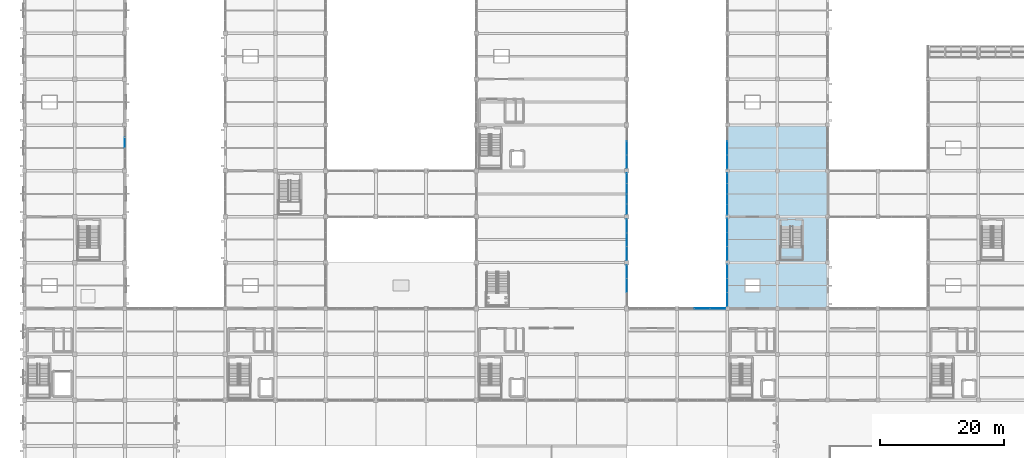
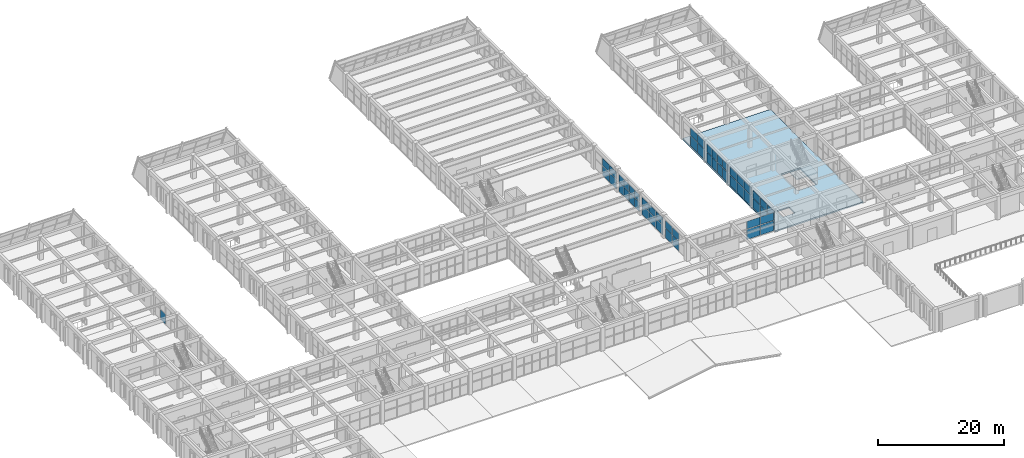
# One storey, part 135 of 161: 51 plates, 2 slabs, 11 elements without a shape of their own.
"""IFC4 building model written with IfcOpenShell, lengths in metres."""

import ifcopenshell
import ifcopenshell.guid

model = None  # the IFC model being written
_history = None  # IfcOwnerHistory: only IFC2X3 demands one
_inside = {}  # id of a spatial element -> (the spatial element, [elements in it])
_under = {}  # id of a project, library or spatial element -> (it, [spatial elements below it])
_declared = {}  # id of a project -> (the project, [libraries it declares])
_typed = {}  # id of a type object -> (the type object, [elements of that type])
_made_of = {}  # id of a material, layer set ... -> (it, [elements and type objects made of it])


def new_model(schema):
    """Start an empty IFC model of exactly this schema.

    Asked for "IFC4X3", IfcOpenShell would pick the latest addendum, in which some entities
    have other attributes; the version numbers below select the first issue.
    IFC2X3 requires an IfcOwnerHistory on every rooted entity: one is made here for all.
    """
    global model, _history
    if schema == "IFC4X3":
        model = ifcopenshell.file(schema_version=(4, 3, 0, 0))
    else:
        model = ifcopenshell.file(schema=schema)
    _inside.clear()
    _under.clear()
    _declared.clear()
    _typed.clear()
    _made_of.clear()
    _history = None
    if model.schema == "IFC2X3":
        org = make("IfcOrganization", Name="unknown")
        user = make(
            "IfcPersonAndOrganization",
            ThePerson=make("IfcPerson", FamilyName="unknown"),
            TheOrganization=org,
        )
        app = make(
            "IfcApplication",
            ApplicationDeveloper=org,
            Version="unknown",
            ApplicationFullName="unknown",
            ApplicationIdentifier="unknown",
        )
        _history = make(
            "IfcOwnerHistory",
            OwningUser=user,
            OwningApplication=app,
            ChangeAction="ADDED",
            CreationDate=0,
        )
    return model


def make(cls, **values):
    """One entity of the class cls with the attributes given. An attribute that is None is left unset."""
    return model.create_entity(
        cls, **{name: value for name, value in values.items() if value is not None}
    )


def rooted(cls, **values):
    """An entity with a GlobalId (a new one), such as an element, a storey or a relation."""
    return make(cls, GlobalId=ifcopenshell.guid.new(), OwnerHistory=_history, **values)


def si_unit(unit_type, name, prefix=None):
    """IfcSIUnit, for example si_unit("LENGTHUNIT", "METRE", prefix="MILLI")."""
    return make("IfcSIUnit", UnitType=unit_type, Prefix=prefix, Name=name)


def assignment(units):
    """IfcUnitAssignment: the units of a project."""
    return None if units is None else make("IfcUnitAssignment", Units=units)


def point(xyz):
    """IfcCartesianPoint."""
    return None if xyz is None else make("IfcCartesianPoint", Coordinates=xyz)


def direction(xyz):
    """IfcDirection."""
    return None if xyz is None else make("IfcDirection", DirectionRatios=xyz)


def frame(location, z_axis=None, x_axis=None):
    """IfcAxis2Placement3D, a coordinate frame: its origin and axes. An axis left out is left unset."""
    return make(
        "IfcAxis2Placement3D",
        Location=point(location),
        Axis=direction(z_axis),
        RefDirection=direction(x_axis),
    )


def frame_2d(location, x_axis=None):
    """IfcAxis2Placement2D, a coordinate frame in the plane: its origin and x axis."""
    return make(
        "IfcAxis2Placement2D", Location=point(location), RefDirection=direction(x_axis)
    )


def origin():
    """The frame at (0, 0, 0) with its axes left unset."""
    return frame((0.0, 0.0, 0.0))


def origin_2d():
    """The frame at (0, 0) in the plane with its x axis left unset."""
    return frame_2d((0.0, 0.0))


def place(relative_to, where):
    """IfcLocalPlacement: puts the frame where relative to a parent placement (None: the world)."""
    return make(
        "IfcLocalPlacement", PlacementRelTo=relative_to, RelativePlacement=where
    )


def context(
    kind, dimensions, precision=None, world=None, true_north=None, identifier=None
):
    """IfcGeometricRepresentationContext, for example the 3D "Model" context."""
    return make(
        "IfcGeometricRepresentationContext",
        ContextIdentifier=identifier,
        ContextType=kind,
        CoordinateSpaceDimension=dimensions,
        Precision=precision,
        WorldCoordinateSystem=world,
        TrueNorth=true_north,
    )


def subcontext(parent, identifier, kind, view, scale=None):
    """IfcGeometricRepresentationSubContext, for example "Body" below "Model"."""
    return make(
        "IfcGeometricRepresentationSubContext",
        ContextIdentifier=identifier,
        ContextType=kind,
        ParentContext=parent,
        TargetScale=scale,
        TargetView=view,
    )


def project(units=None, contexts=None):
    """IfcProject with its units and contexts."""
    return rooted(
        "IfcProject",
        Name="project",
        RepresentationContexts=contexts,
        UnitsInContext=assignment(units),
    )


def spatial(cls, under=None, at=None, **own):
    """A site, building, storey or space (cls), placed at a placement, below another one or the project."""
    s = rooted(cls, ObjectPlacement=at, **own)
    if under is not None:
        _under.setdefault(under.id(), (under, []))[1].append(s)
    return s


def polyline(points):
    """IfcPolyline through the points."""
    return make("IfcPolyline", Points=[point(p) for p in points])


def profile(cls, at=None, kind="AREA", **sizes):
    """A parametric profile (cls). Its sizes go by their IFC names, for example OverallWidth=200.0."""
    return make(cls, ProfileType=kind, Position=at, **sizes)


def rectangle(**sizes):
    """IfcRectangleProfileDef."""
    return profile("IfcRectangleProfileDef", **sizes)


def outline(outer, holes=None, kind="AREA"):
    """IfcArbitraryClosedProfileDef: a profile drawn as a closed curve; with holes, ...WithVoids."""
    if holes is None:
        return make("IfcArbitraryClosedProfileDef", ProfileType=kind, OuterCurve=outer)
    return make(
        "IfcArbitraryProfileDefWithVoids",
        ProfileType=kind,
        OuterCurve=outer,
        InnerCurves=holes,
    )


def extrude(swept, where, along, depth):
    """IfcExtrudedAreaSolid: the profile swept, set in the frame where, extruded along a direction by depth."""
    return make(
        "IfcExtrudedAreaSolid",
        SweptArea=swept,
        Position=where,
        ExtrudedDirection=direction(along),
        Depth=depth,
    )


def shape(context_of_items, identifier, shape_type, items):
    """IfcShapeRepresentation: the items that make up one representation, for example the "Body"."""
    return make(
        "IfcShapeRepresentation",
        ContextOfItems=context_of_items,
        RepresentationIdentifier=identifier,
        RepresentationType=shape_type,
        Items=items,
    )


def material(Name=None, Category=None):
    """IfcMaterial."""
    return make("IfcMaterial", Name=Name, Category=Category)


def layer(
    of_material, thickness, ventilated=None, Name=None, Category=None, Priority=None
):
    """IfcMaterialLayer: one layer of a wall or slab, of a material (None: an air gap)."""
    return make(
        "IfcMaterialLayer",
        Material=of_material,
        LayerThickness=thickness,
        IsVentilated=ventilated,
        Name=Name,
        Category=Category,
        Priority=Priority,
    )


def layer_set(layers, Name=None):
    """IfcMaterialLayerSet."""
    return make("IfcMaterialLayerSet", MaterialLayers=layers, LayerSetName=Name)


def made_of(thing, what):
    """Note that an element or type object is made of a material, layer set ...; save() writes the relation."""
    if what is not None:
        _made_of.setdefault(what.id(), (what, []))[1].append(thing)
    return thing


def type_object(cls, material=None, **own):
    """A type object (cls), such as IfcWallType, which elements share."""
    return made_of(rooted(cls, **own), material)


def element(
    cls,
    number,
    at=None,
    inside=None,
    cuts=None,
    type_object=None,
    material=None,
    context=None,
    identifier="Body",
    shape_type=None,
    held_by="IfcProductDefinitionShape",
    body=None,
    shapes=None,
    **own,
):
    """One element of the class cls, such as IfcWall. Its Tag is "e" and its number.

    at: its placement. inside: the storey or other place that contains it. cuts: it is an
    opening in that element (IfcRelVoidsElement). A single representation is given by context,
    identifier, shape_type and body (its items); several are given by shapes. held_by: the class
    of the entity that holds the representations. save() writes the other relations.
    """
    e = rooted(cls, Tag="e%d" % number, ObjectPlacement=at, **own)
    if body is not None:
        shapes = [shape(context, identifier, shape_type, body)]
    if shapes is not None:
        e.Representation = make(held_by, Representations=shapes)
    if inside is not None:
        _inside.setdefault(inside.id(), (inside, []))[1].append(e)
    if cuts is not None:
        rooted(
            "IfcRelVoidsElement", RelatingBuildingElement=cuts, RelatedOpeningElement=e
        )
    if type_object is not None:
        _typed.setdefault(type_object.id(), (type_object, []))[1].append(e)
    return made_of(e, material)


def aggregate(whole, parts):
    """IfcRelAggregates: a whole, such as a stair, and the parts it consists of."""
    return rooted("IfcRelAggregates", RelatingObject=whole, RelatedObjects=parts)


def save(model, path):
    """Write the relations noted so far, then the file.

    IfcRelAggregates (storeys below a building ...), IfcRelContainedInSpatialStructure (elements
    in a storey), IfcRelDefinesByType, IfcRelAssociatesMaterial and IfcRelDeclares: one each for
    every whole, place, type object, material and project.
    """
    for whole, parts in _under.values():
        aggregate(whole, parts)
    for where, things in _inside.values():
        rooted(
            "IfcRelContainedInSpatialStructure",
            RelatedElements=things,
            RelatingStructure=where,
        )
    for kind, things in _typed.values():
        rooted("IfcRelDefinesByType", RelatedObjects=things, RelatingType=kind)
    for what, things in _made_of.values():
        rooted("IfcRelAssociatesMaterial", RelatedObjects=things, RelatingMaterial=what)
    for by, libraries in _declared.values():
        rooted("IfcRelDeclares", RelatingContext=by, RelatedDefinitions=libraries)
    model.write(path)


model = new_model("IFC4")

# Units and contexts
model_context = context("Model", 3, precision=1e-05, world=origin(), true_north=direction((0.0, 1.0)))
body_context = subcontext(model_context, "Body", "Model", "MODEL_VIEW")
ifc_project = project(units=[si_unit("LENGTHUNIT", "METRE"), si_unit("AREAUNIT", "SQUARE_METRE"), si_unit("VOLUMEUNIT", "CUBIC_METRE"), si_unit("PLANEANGLEUNIT", "RADIAN"), si_unit("MASSUNIT", "GRAM", prefix="KILO")], contexts=[model_context])

# Site, building, storey
site_placement = place(None, origin())
site = spatial("IfcSite", under=ifc_project, at=site_placement, CompositionType="ELEMENT")
building_placement = place(site_placement, origin())
building = spatial("IfcBuilding", under=site, at=building_placement, Name="Cimatlan Art Gallery", CompositionType="ELEMENT")
storey_placement = place(building_placement, frame((0.0, 0.0, 5.39990234375)))
storey = spatial("IfcBuildingStorey", under=building, at=storey_placement, Name="L01", CompositionType="ELEMENT", Elevation=5.39990234375)

# Curtain wall, plates
ifc_material_1 = material(Name="Anodised bronze unitised curtain wall")
curtain_wall_type_1 = type_object("IfcCurtainWallType", Name="CW-V-06642X03562-B4", PredefinedType="NOTDEFINED", material=ifc_material_1)
curtain_wall_1_placement = place(storey_placement, origin())
curtain_wall_1 = element("IfcCurtainWall", 1, at=curtain_wall_1_placement, inside=storey, type_object=curtain_wall_type_1, Name="CW-L01-11-07-E", PredefinedType="NOTDEFINED")
ifc_material_2 = material(Name="Low-E insulated double glazing", Category="glass")
ifc_layer_1 = layer(ifc_material_2, 0.028076171875)
ifc_layer_set_1 = layer_set([ifc_layer_1], Name="Low-E insulated double glazing")
plate_type_1 = type_object("IfcPlateType", Name="PNL-1603X1383", PredefinedType="CURTAIN_PANEL", material=ifc_layer_set_1)
plate_1_placement = place(storey_placement, frame((99.199951171875, 59.690673828125, 2.05712890625), z_axis=(0.0, 0.0, 1.0), x_axis=(0.0, -1.0, 0.0)))
plate_1 = element("IfcPlate", 2, at=plate_1_placement, type_object=plate_type_1, Name="CW-L01-11-07-E-P12", PredefinedType="CURTAIN_PANEL", context=body_context, shape_type="SweptSolid", body=[
    extrude(rectangle(XDim=1.60302734375, YDim=0.028076171875, at=origin_2d()), origin(), (0.0, 0.0, 1.0), 1.383056640625),
])
plate_2_placement = place(storey_placement, frame((99.199951171875, 58.0302734375, 2.05712890625), z_axis=(0.0, 0.0, 1.0), x_axis=(0.0, -1.0, 0.0)))
plate_2 = element("IfcPlate", 3, at=plate_2_placement, type_object=plate_type_1, Name="CW-L01-11-07-E-P22", PredefinedType="CURTAIN_PANEL", context=body_context, shape_type="SweptSolid", body=[
    extrude(rectangle(XDim=1.60302734375, YDim=0.028076171875, at=origin_2d()), origin(), (0.0, 0.0, 1.0), 1.383056640625),
])
plate_3_placement = place(storey_placement, frame((99.199951171875, 56.36962890625, 2.05712890625), z_axis=(0.0, 0.0, 1.0), x_axis=(0.0, -1.0, 0.0)))
plate_3 = element("IfcPlate", 4, at=plate_3_placement, type_object=plate_type_1, Name="CW-L01-11-07-E-P32", PredefinedType="CURTAIN_PANEL", context=body_context, shape_type="SweptSolid", body=[
    extrude(rectangle(XDim=1.60302734375, YDim=0.028076171875, at=origin_2d()), origin(), (0.0, 0.0, 1.0), 1.383056640625),
])
plate_4_placement = place(storey_placement, frame((99.199951171875, 54.709228515625, 2.05712890625), z_axis=(0.0, 0.0, 1.0), x_axis=(0.0, -1.0, 0.0)))
plate_4 = element("IfcPlate", 5, at=plate_4_placement, type_object=plate_type_1, Name="CW-L01-11-07-E-P42", PredefinedType="CURTAIN_PANEL", context=body_context, shape_type="SweptSolid", body=[
    extrude(rectangle(XDim=1.60302734375, YDim=0.028076171875, at=origin_2d()), origin(), (0.0, 0.0, 1.0), 1.383056640625),
])
ifc_layer_2 = layer(ifc_material_2, 0.028076171875)
ifc_layer_set_2 = layer_set([ifc_layer_2], Name="Low-E insulated double glazing")
plate_type_2 = type_object("IfcPlateType", Name="PNL-1603X1811", PredefinedType="CURTAIN_PANEL", material=ifc_layer_set_2)
plate_5_placement = place(storey_placement, frame((99.199951171875, 59.690673828125, 0.121826171875), z_axis=(0.0, 0.0, 1.0), x_axis=(0.0, -1.0, 0.0)))
plate_5 = element("IfcPlate", 6, at=plate_5_placement, type_object=plate_type_2, Name="CW-L01-11-07-E-P11", PredefinedType="CURTAIN_PANEL", context=body_context, shape_type="SweptSolid", body=[
    extrude(rectangle(XDim=1.60302734375, YDim=0.028076171875, at=origin_2d()), origin(), (0.0, 0.0, 1.0), 1.81103515625),
])
plate_6_placement = place(storey_placement, frame((99.199951171875, 58.0302734375, 0.121826171875), z_axis=(0.0, 0.0, 1.0), x_axis=(0.0, -1.0, 0.0)))
plate_6 = element("IfcPlate", 7, at=plate_6_placement, type_object=plate_type_2, Name="CW-L01-11-07-E-P21", PredefinedType="CURTAIN_PANEL", context=body_context, shape_type="SweptSolid", body=[
    extrude(rectangle(XDim=1.60302734375, YDim=0.028076171875, at=origin_2d()), origin(), (0.0, 0.0, 1.0), 1.81103515625),
])
plate_7_placement = place(storey_placement, frame((99.199951171875, 56.36962890625, 0.121826171875), z_axis=(0.0, 0.0, 1.0), x_axis=(0.0, -1.0, 0.0)))
plate_7 = element("IfcPlate", 8, at=plate_7_placement, type_object=plate_type_2, Name="CW-L01-11-07-E-P31", PredefinedType="CURTAIN_PANEL", context=body_context, shape_type="SweptSolid", body=[
    extrude(rectangle(XDim=1.60302734375, YDim=0.028076171875, at=origin_2d()), origin(), (0.0, 0.0, 1.0), 1.81103515625),
])
plate_8_placement = place(storey_placement, frame((99.199951171875, 54.709228515625, 0.121826171875), z_axis=(0.0, 0.0, 1.0), x_axis=(0.0, -1.0, 0.0)))
plate_8 = element("IfcPlate", 9, at=plate_8_placement, type_object=plate_type_2, Name="CW-L01-11-07-E-P41", PredefinedType="CURTAIN_PANEL", context=body_context, shape_type="SweptSolid", body=[
    extrude(rectangle(XDim=1.60302734375, YDim=0.028076171875, at=origin_2d()), origin(), (0.0, 0.0, 1.0), 1.81103515625),
])
aggregate(curtain_wall_1, [plate_5, plate_1, plate_6, plate_2, plate_7, plate_3, plate_8, plate_4])

# Curtain wall, plate
curtain_wall_type_2 = type_object("IfcCurtainWallType", Name="CW-V-06692X03720-B4", PredefinedType="NOTDEFINED", material=ifc_material_1)
curtain_wall_2_placement = place(storey_placement, origin())
curtain_wall_2 = element("IfcCurtainWall", 10, at=curtain_wall_2_placement, inside=storey, type_object=curtain_wall_type_2, Name="CW-L01-01-08-E", PredefinedType="NOTDEFINED")
ifc_layer_3 = layer(ifc_material_2, 0.028076171875)
ifc_layer_set_3 = layer_set([ifc_layer_3], Name="Low-E insulated double glazing")
plate_type_3 = type_object("IfcPlateType", Name="PNL-1615X1899", PredefinedType="CURTAIN_PANEL", material=ifc_layer_set_3)
plate_9_placement = place(storey_placement, frame((18.199951171875, 65.4365234375, 0.122314453125), z_axis=(0.0, 0.0, 1.0), x_axis=(0.0, -1.0, 0.0)))
plate_9 = element("IfcPlate", 11, at=plate_9_placement, type_object=plate_type_3, Name="CW-L01-01-08-E-P21", PredefinedType="CURTAIN_PANEL", context=body_context, shape_type="SweptSolid", body=[
    extrude(rectangle(XDim=1.614990234375, YDim=0.028076171875, at=origin_2d()), origin(), (0.0, 0.0, 1.0), 1.89892578125),
])
aggregate(curtain_wall_2, [plate_9])

# Curtain wall, plates
curtain_wall_type_3 = type_object("IfcCurtainWallType", Name="CW-V-06742X03830-B4", PredefinedType="NOTDEFINED", material=ifc_material_1)
curtain_wall_3_placement = place(storey_placement, origin())
curtain_wall_3 = element("IfcCurtainWall", 12, at=curtain_wall_3_placement, inside=storey, type_object=curtain_wall_type_3, Name="CW-L01-14-07-W", PredefinedType="NOTDEFINED")
ifc_layer_4 = layer(ifc_material_2, 0.028076171875)
ifc_layer_set_4 = layer_set([ifc_layer_4], Name="Low-E insulated double glazing")
plate_type_4 = type_object("IfcPlateType", Name="PNL-1627X1501", PredefinedType="CURTAIN_PANEL", material=ifc_layer_set_4)
plate_10_placement = place(storey_placement, frame((115.39990234375, 54.671630859375, 2.20703125), z_axis=(0.0, 0.0, 1.0), x_axis=(0.0, 1.0, 0.0)))
plate_10 = element("IfcPlate", 13, at=plate_10_placement, type_object=plate_type_4, Name="CW-L01-14-07-W-P12", PredefinedType="CURTAIN_PANEL", context=body_context, shape_type="SweptSolid", body=[
    extrude(rectangle(XDim=1.626953125, YDim=0.028076171875, at=origin_2d()), origin(), (0.0, 0.0, 1.0), 1.5009765625),
])
plate_11_placement = place(storey_placement, frame((115.39990234375, 56.357177734375, 2.20703125), z_axis=(0.0, 0.0, 1.0), x_axis=(0.0, 1.0, 0.0)))
plate_11 = element("IfcPlate", 14, at=plate_11_placement, type_object=plate_type_4, Name="CW-L01-14-07-W-P22", PredefinedType="CURTAIN_PANEL", context=body_context, shape_type="SweptSolid", body=[
    extrude(rectangle(XDim=1.626953125, YDim=0.028076171875, at=origin_2d()), origin(), (0.0, 0.0, 1.0), 1.5009765625),
])
plate_12_placement = place(storey_placement, frame((115.39990234375, 58.042724609375, 2.20703125), z_axis=(0.0, 0.0, 1.0), x_axis=(0.0, 1.0, 0.0)))
plate_12 = element("IfcPlate", 15, at=plate_12_placement, type_object=plate_type_4, Name="CW-L01-14-07-W-P32", PredefinedType="CURTAIN_PANEL", context=body_context, shape_type="SweptSolid", body=[
    extrude(rectangle(XDim=1.626953125, YDim=0.028076171875, at=origin_2d()), origin(), (0.0, 0.0, 1.0), 1.5009765625),
])
plate_13_placement = place(storey_placement, frame((115.39990234375, 59.728271484375, 2.20703125), z_axis=(0.0, 0.0, 1.0), x_axis=(0.0, 1.0, 0.0)))
plate_13 = element("IfcPlate", 16, at=plate_13_placement, type_object=plate_type_4, Name="CW-L01-14-07-W-P42", PredefinedType="CURTAIN_PANEL", context=body_context, shape_type="SweptSolid", body=[
    extrude(rectangle(XDim=1.626953125, YDim=0.028076171875, at=origin_2d()), origin(), (0.0, 0.0, 1.0), 1.5009765625),
])
ifc_layer_5 = layer(ifc_material_2, 0.028076171875)
ifc_layer_set_5 = layer_set([ifc_layer_5], Name="Low-E insulated double glazing")
plate_type_5 = type_object("IfcPlateType", Name="PNL-1627X1961", PredefinedType="CURTAIN_PANEL", material=ifc_layer_set_5)
plate_14_placement = place(storey_placement, frame((115.39990234375, 54.671630859375, 0.1220703125), z_axis=(0.0, 0.0, 1.0), x_axis=(0.0, 1.0, 0.0)))
plate_14 = element("IfcPlate", 17, at=plate_14_placement, type_object=plate_type_5, Name="CW-L01-14-07-W-P11", PredefinedType="CURTAIN_PANEL", context=body_context, shape_type="SweptSolid", body=[
    extrude(rectangle(XDim=1.626953125, YDim=0.028076171875, at=origin_2d()), origin(), (0.0, 0.0, 1.0), 1.9609375),
])
plate_15_placement = place(storey_placement, frame((115.39990234375, 56.357177734375, 0.1220703125), z_axis=(0.0, 0.0, 1.0), x_axis=(0.0, 1.0, 0.0)))
plate_15 = element("IfcPlate", 18, at=plate_15_placement, type_object=plate_type_5, Name="CW-L01-14-07-W-P21", PredefinedType="CURTAIN_PANEL", context=body_context, shape_type="SweptSolid", body=[
    extrude(rectangle(XDim=1.626953125, YDim=0.028076171875, at=origin_2d()), origin(), (0.0, 0.0, 1.0), 1.9609375),
])
plate_16_placement = place(storey_placement, frame((115.39990234375, 58.042724609375, 0.1220703125), z_axis=(0.0, 0.0, 1.0), x_axis=(0.0, 1.0, 0.0)))
plate_16 = element("IfcPlate", 19, at=plate_16_placement, type_object=plate_type_5, Name="CW-L01-14-07-W-P31", PredefinedType="CURTAIN_PANEL", context=body_context, shape_type="SweptSolid", body=[
    extrude(rectangle(XDim=1.626953125, YDim=0.028076171875, at=origin_2d()), origin(), (0.0, 0.0, 1.0), 1.9609375),
])
plate_17_placement = place(storey_placement, frame((115.39990234375, 59.728271484375, 0.1220703125), z_axis=(0.0, 0.0, 1.0), x_axis=(0.0, 1.0, 0.0)))
plate_17 = element("IfcPlate", 20, at=plate_17_placement, type_object=plate_type_5, Name="CW-L01-14-07-W-P41", PredefinedType="CURTAIN_PANEL", context=body_context, shape_type="SweptSolid", body=[
    extrude(rectangle(XDim=1.626953125, YDim=0.028076171875, at=origin_2d()), origin(), (0.0, 0.0, 1.0), 1.9609375),
])
aggregate(curtain_wall_3, [plate_14, plate_10, plate_15, plate_11, plate_16, plate_12, plate_17, plate_13])

curtain_wall_type_4 = type_object("IfcCurtainWallType", Name="CW-V-06642X03547-B3", PredefinedType="NOTDEFINED", material=ifc_material_1)
curtain_wall_4_placement = place(storey_placement, origin())
curtain_wall_4 = element("IfcCurtainWall", 21, at=curtain_wall_4_placement, inside=storey, type_object=curtain_wall_type_4, Name="CW-L01-11-08-E", PredefinedType="NOTDEFINED")
ifc_layer_6 = layer(ifc_material_2, 0.028076171875)
ifc_layer_set_6 = layer_set([ifc_layer_6], Name="Low-E insulated double glazing")
plate_type_6 = type_object("IfcPlateType", Name="PNL-2156X1377", PredefinedType="CURTAIN_PANEL", material=ifc_layer_set_6)
plate_18_placement = place(storey_placement, frame((99.199951171875, 64.60009765625, 2.04833984375), z_axis=(0.0, 0.0, 1.0), x_axis=(0.0, -1.0, 0.0)))
plate_18 = element("IfcPlate", 22, at=plate_18_placement, type_object=plate_type_6, Name="CW-L01-11-08-E-P22", PredefinedType="CURTAIN_PANEL", context=body_context, shape_type="SweptSolid", body=[
    extrude(rectangle(XDim=2.156005859375, YDim=0.028076171875, at=origin_2d()), origin(), (0.0, 0.0, 1.0), 1.376953125),
])
plate_19_placement = place(storey_placement, frame((99.199951171875, 62.385986328125, 2.04833984375), z_axis=(0.0, 0.0, 1.0), x_axis=(0.0, -1.0, 0.0)))
plate_19 = element("IfcPlate", 23, at=plate_19_placement, type_object=plate_type_6, Name="CW-L01-11-08-E-P32", PredefinedType="CURTAIN_PANEL", context=body_context, shape_type="SweptSolid", body=[
    extrude(rectangle(XDim=2.156005859375, YDim=0.028076171875, at=origin_2d()), origin(), (0.0, 0.0, 1.0), 1.376953125),
])

curtain_wall_type_5 = type_object("IfcCurtainWallType", Name="CW-V-06642X03577-B3", PredefinedType="NOTDEFINED", material=ifc_material_1)
curtain_wall_5_placement = place(storey_placement, origin())
curtain_wall_5 = element("IfcCurtainWall", 24, at=curtain_wall_5_placement, inside=storey, type_object=curtain_wall_type_5, Name="CW-L01-11-06-E", PredefinedType="NOTDEFINED")
ifc_layer_7 = layer(ifc_material_2, 0.028076171875)
ifc_layer_set_7 = layer_set([ifc_layer_7], Name="Low-E insulated double glazing")
plate_type_7 = type_object("IfcPlateType", Name="PNL-2156X1390", PredefinedType="CURTAIN_PANEL", material=ifc_layer_set_7)
plate_20_placement = place(storey_placement, frame((99.199951171875, 52.013916015625, 2.0654296875), z_axis=(0.0, 0.0, 1.0), x_axis=(0.0, -1.0, 0.0)))
plate_20 = element("IfcPlate", 25, at=plate_20_placement, type_object=plate_type_7, Name="CW-L01-11-06-E-P12", PredefinedType="CURTAIN_PANEL", context=body_context, shape_type="SweptSolid", body=[
    extrude(rectangle(XDim=2.156005859375, YDim=0.028076171875, at=origin_2d()), origin(), (0.0, 0.0, 1.0), 1.389892578125),
])
plate_21_placement = place(storey_placement, frame((99.199951171875, 49.800048828125, 2.0654296875), z_axis=(0.0, 0.0, 1.0), x_axis=(0.0, -1.0, 0.0)))
plate_21 = element("IfcPlate", 26, at=plate_21_placement, type_object=plate_type_7, Name="CW-L01-11-06-E-P22", PredefinedType="CURTAIN_PANEL", context=body_context, shape_type="SweptSolid", body=[
    extrude(rectangle(XDim=2.156005859375, YDim=0.028076171875, at=origin_2d()), origin(), (0.0, 0.0, 1.0), 1.389892578125),
])
plate_22_placement = place(storey_placement, frame((99.199951171875, 47.5859375, 2.0654296875), z_axis=(0.0, 0.0, 1.0), x_axis=(0.0, -1.0, 0.0)))
plate_22 = element("IfcPlate", 27, at=plate_22_placement, type_object=plate_type_7, Name="CW-L01-11-06-E-P32", PredefinedType="CURTAIN_PANEL", context=body_context, shape_type="SweptSolid", body=[
    extrude(rectangle(XDim=2.156005859375, YDim=0.028076171875, at=origin_2d()), origin(), (0.0, 0.0, 1.0), 1.389892578125),
])

curtain_wall_type_6 = type_object("IfcCurtainWallType", Name="CW-V-06642X03592-B3", PredefinedType="NOTDEFINED", material=ifc_material_1)
curtain_wall_6_placement = place(storey_placement, origin())
curtain_wall_6 = element("IfcCurtainWall", 28, at=curtain_wall_6_placement, inside=storey, type_object=curtain_wall_type_6, Name="CW-L01-11-05-E", PredefinedType="NOTDEFINED")
ifc_layer_8 = layer(ifc_material_2, 0.028076171875)
ifc_layer_set_8 = layer_set([ifc_layer_8], Name="Low-E insulated double glazing")
plate_type_8 = type_object("IfcPlateType", Name="PNL-2156X1397", PredefinedType="CURTAIN_PANEL", material=ifc_layer_set_8)
plate_23_placement = place(storey_placement, frame((99.199951171875, 44.614013671875, 2.0732421875), z_axis=(0.0, 0.0, 1.0), x_axis=(0.0, -1.0, 0.0)))
plate_23 = element("IfcPlate", 29, at=plate_23_placement, type_object=plate_type_8, Name="CW-L01-11-05-E-P12", PredefinedType="CURTAIN_PANEL", context=body_context, shape_type="SweptSolid", body=[
    extrude(rectangle(XDim=2.156005859375, YDim=0.028076171875, at=origin_2d()), origin(), (0.0, 0.0, 1.0), 1.39697265625),
])
plate_24_placement = place(storey_placement, frame((99.199951171875, 42.39990234375, 2.0732421875), z_axis=(0.0, 0.0, 1.0), x_axis=(0.0, -1.0, 0.0)))
plate_24 = element("IfcPlate", 30, at=plate_24_placement, type_object=plate_type_8, Name="CW-L01-11-05-E-P22", PredefinedType="CURTAIN_PANEL", context=body_context, shape_type="SweptSolid", body=[
    extrude(rectangle(XDim=2.156005859375, YDim=0.028076171875, at=origin_2d()), origin(), (0.0, 0.0, 1.0), 1.39697265625),
])

# Plate
ifc_layer_9 = layer(ifc_material_2, 0.028076171875)
ifc_layer_set_9 = layer_set([ifc_layer_9], Name="Low-E insulated double glazing")
plate_type_9 = type_object("IfcPlateType", Name="PNL-2156X1802", PredefinedType="CURTAIN_PANEL", material=ifc_layer_set_9)
plate_25_placement = place(storey_placement, frame((99.199951171875, 64.60009765625, 0.1220703125), z_axis=(0.0, 0.0, 1.0), x_axis=(0.0, -1.0, 0.0)))
plate_25 = element("IfcPlate", 31, at=plate_25_placement, type_object=plate_type_9, Name="CW-L01-11-08-E-P21", PredefinedType="CURTAIN_PANEL", context=body_context, shape_type="SweptSolid", body=[
    extrude(rectangle(XDim=2.156005859375, YDim=0.028076171875, at=origin_2d()), origin(), (0.0, 0.0, 1.0), 1.802001953125),
])

plate_26_placement = place(storey_placement, frame((99.199951171875, 62.385986328125, 0.1220703125), z_axis=(0.0, 0.0, 1.0), x_axis=(0.0, -1.0, 0.0)))
plate_26 = element("IfcPlate", 32, at=plate_26_placement, type_object=plate_type_9, Name="CW-L01-11-08-E-P31", PredefinedType="CURTAIN_PANEL", context=body_context, shape_type="SweptSolid", body=[
    extrude(rectangle(XDim=2.156005859375, YDim=0.028076171875, at=origin_2d()), origin(), (0.0, 0.0, 1.0), 1.802001953125),
])

aggregate(curtain_wall_4, [plate_25, plate_18, plate_26, plate_19])

ifc_layer_10 = layer(ifc_material_2, 0.028076171875)
ifc_layer_set_10 = layer_set([ifc_layer_10], Name="Low-E insulated double glazing")
plate_type_10 = type_object("IfcPlateType", Name="PNL-2156X1819", PredefinedType="CURTAIN_PANEL", material=ifc_layer_set_10)
plate_27_placement = place(storey_placement, frame((99.199951171875, 52.013916015625, 0.1220703125), z_axis=(0.0, 0.0, 1.0), x_axis=(0.0, -1.0, 0.0)))
plate_27 = element("IfcPlate", 33, at=plate_27_placement, type_object=plate_type_10, Name="CW-L01-11-06-E-P11", PredefinedType="CURTAIN_PANEL", context=body_context, shape_type="SweptSolid", body=[
    extrude(rectangle(XDim=2.156005859375, YDim=0.028076171875, at=origin_2d()), origin(), (0.0, 0.0, 1.0), 1.819091796875),
])

plate_28_placement = place(storey_placement, frame((99.199951171875, 49.800048828125, 0.1220703125), z_axis=(0.0, 0.0, 1.0), x_axis=(0.0, -1.0, 0.0)))
plate_28 = element("IfcPlate", 34, at=plate_28_placement, type_object=plate_type_10, Name="CW-L01-11-06-E-P21", PredefinedType="CURTAIN_PANEL", context=body_context, shape_type="SweptSolid", body=[
    extrude(rectangle(XDim=2.156005859375, YDim=0.028076171875, at=origin_2d()), origin(), (0.0, 0.0, 1.0), 1.819091796875),
])

plate_29_placement = place(storey_placement, frame((99.199951171875, 47.5859375, 0.1220703125), z_axis=(0.0, 0.0, 1.0), x_axis=(0.0, -1.0, 0.0)))
plate_29 = element("IfcPlate", 35, at=plate_29_placement, type_object=plate_type_10, Name="CW-L01-11-06-E-P31", PredefinedType="CURTAIN_PANEL", context=body_context, shape_type="SweptSolid", body=[
    extrude(rectangle(XDim=2.156005859375, YDim=0.028076171875, at=origin_2d()), origin(), (0.0, 0.0, 1.0), 1.819091796875),
])

aggregate(curtain_wall_5, [plate_27, plate_20, plate_28, plate_21, plate_29, plate_22])

ifc_layer_11 = layer(ifc_material_2, 0.028076171875)
ifc_layer_set_11 = layer_set([ifc_layer_11], Name="Low-E insulated double glazing")
plate_type_11 = type_object("IfcPlateType", Name="PNL-2156X1827", PredefinedType="CURTAIN_PANEL", material=ifc_layer_set_11)
plate_30_placement = place(storey_placement, frame((99.199951171875, 44.614013671875, 0.12255859375), z_axis=(0.0, 0.0, 1.0), x_axis=(0.0, -1.0, 0.0)))
plate_30 = element("IfcPlate", 36, at=plate_30_placement, type_object=plate_type_11, Name="CW-L01-11-05-E-P11", PredefinedType="CURTAIN_PANEL", context=body_context, shape_type="SweptSolid", body=[
    extrude(rectangle(XDim=2.156005859375, YDim=0.028076171875, at=origin_2d()), origin(), (0.0, 0.0, 1.0), 1.826904296875),
])

plate_31_placement = place(storey_placement, frame((99.199951171875, 42.39990234375, 0.12255859375), z_axis=(0.0, 0.0, 1.0), x_axis=(0.0, -1.0, 0.0)))
plate_31 = element("IfcPlate", 37, at=plate_31_placement, type_object=plate_type_11, Name="CW-L01-11-05-E-P21", PredefinedType="CURTAIN_PANEL", context=body_context, shape_type="SweptSolid", body=[
    extrude(rectangle(XDim=2.156005859375, YDim=0.028076171875, at=origin_2d()), origin(), (0.0, 0.0, 1.0), 1.826904296875),
])

aggregate(curtain_wall_6, [plate_30, plate_23, plate_31, plate_24])

# Curtain wall, plates
curtain_wall_type_7 = type_object("IfcCurtainWallType", Name="CW-V-06742X03720-B3", PredefinedType="NOTDEFINED", material=ifc_material_1)
curtain_wall_7_placement = place(storey_placement, origin())
curtain_wall_7 = element("IfcCurtainWall", 38, at=curtain_wall_7_placement, inside=storey, type_object=curtain_wall_type_7, Name="CW-L01-14-05-W", PredefinedType="NOTDEFINED")
ifc_layer_12 = layer(ifc_material_2, 0.028076171875)
ifc_layer_set_12 = layer_set([ifc_layer_12], Name="Low-E insulated double glazing")
plate_type_12 = type_object("IfcPlateType", Name="PNL-2189X1453", PredefinedType="CURTAIN_PANEL", material=ifc_layer_set_12)
plate_32_placement = place(storey_placement, frame((115.39990234375, 40.152587890625, 2.14501953125), z_axis=(0.0, 0.0, 1.0), x_axis=(0.0, 1.0, 0.0)))
plate_32 = element("IfcPlate", 39, at=plate_32_placement, type_object=plate_type_12, Name="CW-L01-14-05-W-P12", PredefinedType="CURTAIN_PANEL", context=body_context, shape_type="SweptSolid", body=[
    extrude(rectangle(XDim=2.18896484375, YDim=0.028076171875, at=origin_2d()), origin(), (0.0, 0.0, 1.0), 1.452880859375),
])
plate_33_placement = place(storey_placement, frame((115.39990234375, 42.39990234375, 2.14501953125), z_axis=(0.0, 0.0, 1.0), x_axis=(0.0, 1.0, 0.0)))
plate_33 = element("IfcPlate", 40, at=plate_33_placement, type_object=plate_type_12, Name="CW-L01-14-05-W-P22", PredefinedType="CURTAIN_PANEL", context=body_context, shape_type="SweptSolid", body=[
    extrude(rectangle(XDim=2.18896484375, YDim=0.028076171875, at=origin_2d()), origin(), (0.0, 0.0, 1.0), 1.452880859375),
])
plate_34_placement = place(storey_placement, frame((115.39990234375, 44.647216796875, 2.14501953125), z_axis=(0.0, 0.0, 1.0), x_axis=(0.0, 1.0, 0.0)))
plate_34 = element("IfcPlate", 41, at=plate_34_placement, type_object=plate_type_12, Name="CW-L01-14-05-W-P32", PredefinedType="CURTAIN_PANEL", context=body_context, shape_type="SweptSolid", body=[
    extrude(rectangle(XDim=2.18896484375, YDim=0.028076171875, at=origin_2d()), origin(), (0.0, 0.0, 1.0), 1.452880859375),
])

curtain_wall_type_8 = type_object("IfcCurtainWallType", Name="CW-V-06742X03815-B3", PredefinedType="NOTDEFINED", material=ifc_material_1)
curtain_wall_8_placement = place(storey_placement, origin())
curtain_wall_8 = element("IfcCurtainWall", 42, at=curtain_wall_8_placement, inside=storey, type_object=curtain_wall_type_8, Name="CW-L01-14-08-W", PredefinedType="NOTDEFINED")
ifc_layer_13 = layer(ifc_material_2, 0.028076171875)
ifc_layer_set_13 = layer_set([ifc_layer_13], Name="Low-E insulated double glazing")
plate_type_13 = type_object("IfcPlateType", Name="PNL-2189X1495", PredefinedType="CURTAIN_PANEL", material=ifc_layer_set_13)
plate_35_placement = place(storey_placement, frame((115.39990234375, 62.352783203125, 2.1982421875), z_axis=(0.0, 0.0, 1.0), x_axis=(0.0, 1.0, 0.0)))
plate_35 = element("IfcPlate", 43, at=plate_35_placement, type_object=plate_type_13, Name="CW-L01-14-08-W-P12", PredefinedType="CURTAIN_PANEL", context=body_context, shape_type="SweptSolid", body=[
    extrude(rectangle(XDim=2.18896484375, YDim=0.028076171875, at=origin_2d()), origin(), (0.0, 0.0, 1.0), 1.4951171875),
])
plate_36_placement = place(storey_placement, frame((115.39990234375, 64.60009765625, 2.1982421875), z_axis=(0.0, 0.0, 1.0), x_axis=(0.0, 1.0, 0.0)))
plate_36 = element("IfcPlate", 44, at=plate_36_placement, type_object=plate_type_13, Name="CW-L01-14-08-W-P22", PredefinedType="CURTAIN_PANEL", context=body_context, shape_type="SweptSolid", body=[
    extrude(rectangle(XDim=2.18896484375, YDim=0.028076171875, at=origin_2d()), origin(), (0.0, 0.0, 1.0), 1.4951171875),
])

curtain_wall_type_9 = type_object("IfcCurtainWallType", Name="CW-V-06742X03845-B3", PredefinedType="NOTDEFINED", material=ifc_material_1)
curtain_wall_9_placement = place(storey_placement, origin())
curtain_wall_9 = element("IfcCurtainWall", 45, at=curtain_wall_9_placement, inside=storey, type_object=curtain_wall_type_9, Name="CW-L01-14-06-W", PredefinedType="NOTDEFINED")
ifc_layer_14 = layer(ifc_material_2, 0.028076171875)
ifc_layer_set_14 = layer_set([ifc_layer_14], Name="Low-E insulated double glazing")
plate_type_14 = type_object("IfcPlateType", Name="PNL-2189X1508", PredefinedType="CURTAIN_PANEL", material=ifc_layer_set_14)
plate_37_placement = place(storey_placement, frame((115.39990234375, 47.552734375, 2.21533203125), z_axis=(0.0, 0.0, 1.0), x_axis=(0.0, 1.0, 0.0)))
plate_37 = element("IfcPlate", 46, at=plate_37_placement, type_object=plate_type_14, Name="CW-L01-14-06-W-P12", PredefinedType="CURTAIN_PANEL", context=body_context, shape_type="SweptSolid", body=[
    extrude(rectangle(XDim=2.18896484375, YDim=0.028076171875, at=origin_2d()), origin(), (0.0, 0.0, 1.0), 1.508056640625),
])
plate_38_placement = place(storey_placement, frame((115.39990234375, 49.800048828125, 2.21533203125), z_axis=(0.0, 0.0, 1.0), x_axis=(0.0, 1.0, 0.0)))
plate_38 = element("IfcPlate", 47, at=plate_38_placement, type_object=plate_type_14, Name="CW-L01-14-06-W-P22", PredefinedType="CURTAIN_PANEL", context=body_context, shape_type="SweptSolid", body=[
    extrude(rectangle(XDim=2.18896484375, YDim=0.028076171875, at=origin_2d()), origin(), (0.0, 0.0, 1.0), 1.508056640625),
])
plate_39_placement = place(storey_placement, frame((115.39990234375, 52.04736328125, 2.21533203125), z_axis=(0.0, 0.0, 1.0), x_axis=(0.0, 1.0, 0.0)))
plate_39 = element("IfcPlate", 48, at=plate_39_placement, type_object=plate_type_14, Name="CW-L01-14-06-W-P32", PredefinedType="CURTAIN_PANEL", context=body_context, shape_type="SweptSolid", body=[
    extrude(rectangle(XDim=2.18896484375, YDim=0.028076171875, at=origin_2d()), origin(), (0.0, 0.0, 1.0), 1.508056640625),
])

# Plate
ifc_layer_15 = layer(ifc_material_2, 0.028076171875)
ifc_layer_set_15 = layer_set([ifc_layer_15], Name="Low-E insulated double glazing")
plate_type_15 = type_object("IfcPlateType", Name="PNL-2189X1899", PredefinedType="CURTAIN_PANEL", material=ifc_layer_set_15)
plate_40_placement = place(storey_placement, frame((115.39990234375, 40.152587890625, 0.122314453125), z_axis=(0.0, 0.0, 1.0), x_axis=(0.0, 1.0, 0.0)))
plate_40 = element("IfcPlate", 49, at=plate_40_placement, type_object=plate_type_15, Name="CW-L01-14-05-W-P11", PredefinedType="CURTAIN_PANEL", context=body_context, shape_type="SweptSolid", body=[
    extrude(rectangle(XDim=2.18896484375, YDim=0.028076171875, at=origin_2d()), origin(), (0.0, 0.0, 1.0), 1.89892578125),
])

plate_41_placement = place(storey_placement, frame((115.39990234375, 42.39990234375, 0.122314453125), z_axis=(0.0, 0.0, 1.0), x_axis=(0.0, 1.0, 0.0)))
plate_41 = element("IfcPlate", 50, at=plate_41_placement, type_object=plate_type_15, Name="CW-L01-14-05-W-P21", PredefinedType="CURTAIN_PANEL", context=body_context, shape_type="SweptSolid", body=[
    extrude(rectangle(XDim=2.18896484375, YDim=0.028076171875, at=origin_2d()), origin(), (0.0, 0.0, 1.0), 1.89892578125),
])

plate_42_placement = place(storey_placement, frame((115.39990234375, 44.647216796875, 0.122314453125), z_axis=(0.0, 0.0, 1.0), x_axis=(0.0, 1.0, 0.0)))
plate_42 = element("IfcPlate", 51, at=plate_42_placement, type_object=plate_type_15, Name="CW-L01-14-05-W-P31", PredefinedType="CURTAIN_PANEL", context=body_context, shape_type="SweptSolid", body=[
    extrude(rectangle(XDim=2.18896484375, YDim=0.028076171875, at=origin_2d()), origin(), (0.0, 0.0, 1.0), 1.89892578125),
])

aggregate(curtain_wall_7, [plate_40, plate_32, plate_41, plate_33, plate_42, plate_34])

ifc_layer_16 = layer(ifc_material_2, 0.028076171875)
ifc_layer_set_16 = layer_set([ifc_layer_16], Name="Low-E insulated double glazing")
plate_type_16 = type_object("IfcPlateType", Name="PNL-2189X1952", PredefinedType="CURTAIN_PANEL", material=ifc_layer_set_16)
plate_43_placement = place(storey_placement, frame((115.39990234375, 62.352783203125, 0.12255859375), z_axis=(0.0, 0.0, 1.0), x_axis=(0.0, 1.0, 0.0)))
plate_43 = element("IfcPlate", 52, at=plate_43_placement, type_object=plate_type_16, Name="CW-L01-14-08-W-P11", PredefinedType="CURTAIN_PANEL", context=body_context, shape_type="SweptSolid", body=[
    extrude(rectangle(XDim=2.18896484375, YDim=0.028076171875, at=origin_2d()), origin(), (0.0, 0.0, 1.0), 1.951904296875),
])

plate_44_placement = place(storey_placement, frame((115.39990234375, 64.60009765625, 0.12255859375), z_axis=(0.0, 0.0, 1.0), x_axis=(0.0, 1.0, 0.0)))
plate_44 = element("IfcPlate", 53, at=plate_44_placement, type_object=plate_type_16, Name="CW-L01-14-08-W-P21", PredefinedType="CURTAIN_PANEL", context=body_context, shape_type="SweptSolid", body=[
    extrude(rectangle(XDim=2.18896484375, YDim=0.028076171875, at=origin_2d()), origin(), (0.0, 0.0, 1.0), 1.951904296875),
])

aggregate(curtain_wall_8, [plate_43, plate_35, plate_44, plate_36])

ifc_layer_17 = layer(ifc_material_2, 0.028076171875)
ifc_layer_set_17 = layer_set([ifc_layer_17], Name="Low-E insulated double glazing")
plate_type_17 = type_object("IfcPlateType", Name="PNL-2189X1969", PredefinedType="CURTAIN_PANEL", material=ifc_layer_set_17)
plate_45_placement = place(storey_placement, frame((115.39990234375, 47.552734375, 0.1220703125), z_axis=(0.0, 0.0, 1.0), x_axis=(0.0, 1.0, 0.0)))
plate_45 = element("IfcPlate", 54, at=plate_45_placement, type_object=plate_type_17, Name="CW-L01-14-06-W-P11", PredefinedType="CURTAIN_PANEL", context=body_context, shape_type="SweptSolid", body=[
    extrude(rectangle(XDim=2.18896484375, YDim=0.028076171875, at=origin_2d()), origin(), (0.0, 0.0, 1.0), 1.968994140625),
])

plate_46_placement = place(storey_placement, frame((115.39990234375, 49.800048828125, 0.1220703125), z_axis=(0.0, 0.0, 1.0), x_axis=(0.0, 1.0, 0.0)))
plate_46 = element("IfcPlate", 55, at=plate_46_placement, type_object=plate_type_17, Name="CW-L01-14-06-W-P21", PredefinedType="CURTAIN_PANEL", context=body_context, shape_type="SweptSolid", body=[
    extrude(rectangle(XDim=2.18896484375, YDim=0.028076171875, at=origin_2d()), origin(), (0.0, 0.0, 1.0), 1.968994140625),
])

plate_47_placement = place(storey_placement, frame((115.39990234375, 52.04736328125, 0.1220703125), z_axis=(0.0, 0.0, 1.0), x_axis=(0.0, 1.0, 0.0)))
plate_47 = element("IfcPlate", 56, at=plate_47_placement, type_object=plate_type_17, Name="CW-L01-14-06-W-P31", PredefinedType="CURTAIN_PANEL", context=body_context, shape_type="SweptSolid", body=[
    extrude(rectangle(XDim=2.18896484375, YDim=0.028076171875, at=origin_2d()), origin(), (0.0, 0.0, 1.0), 1.968994140625),
])

aggregate(curtain_wall_9, [plate_45, plate_37, plate_46, plate_38, plate_47, plate_39])

# Curtain wall, plates
curtain_wall_type_10 = type_object("IfcCurtainWallType", Name="CW-V-07442X03780-B3", PredefinedType="NOTDEFINED", material=ifc_material_1)
curtain_wall_10_placement = place(storey_placement, origin())
curtain_wall_10 = element("IfcCurtainWall", 57, at=curtain_wall_10_placement, inside=storey, type_object=curtain_wall_type_10, Name="CW-L01-13-04-N", PredefinedType="NOTDEFINED")
ifc_layer_18 = layer(ifc_material_2, 0.028076171875)
ifc_layer_set_18 = layer_set([ifc_layer_18], Name="Low-E insulated double glazing")
plate_type_18 = type_object("IfcPlateType", Name="PNL-2423X1479", PredefinedType="CURTAIN_PANEL", material=ifc_layer_set_18)
plate_48_placement = place(storey_placement, frame((111.35009765625, 38.699951171875, 2.178955078125), z_axis=(0.0, 0.0, 1.0), x_axis=(1.0, 0.0, 0.0)))
plate_48 = element("IfcPlate", 58, at=plate_48_placement, type_object=plate_type_18, Name="CW-L01-13-04-N-P22", PredefinedType="CURTAIN_PANEL", context=body_context, shape_type="SweptSolid", body=[
    extrude(rectangle(XDim=2.423095703125, YDim=0.028076171875, at=origin_2d()), origin(), (0.0, 0.0, 1.0), 1.47900390625),
])
plate_49_placement = place(storey_placement, frame((113.83056640625, 38.699951171875, 2.178955078125), z_axis=(0.0, 0.0, 1.0), x_axis=(1.0, 0.0, 0.0)))
plate_49 = element("IfcPlate", 59, at=plate_49_placement, type_object=plate_type_18, Name="CW-L01-13-04-N-P32", PredefinedType="CURTAIN_PANEL", context=body_context, shape_type="SweptSolid", body=[
    extrude(rectangle(XDim=2.423095703125, YDim=0.028076171875, at=origin_2d()), origin(), (0.0, 0.0, 1.0), 1.47900390625),
])
ifc_layer_19 = layer(ifc_material_2, 0.028076171875)
ifc_layer_set_19 = layer_set([ifc_layer_19], Name="Low-E insulated double glazing")
plate_type_19 = type_object("IfcPlateType", Name="PNL-2423X1933", PredefinedType="CURTAIN_PANEL", material=ifc_layer_set_19)
plate_50_placement = place(storey_placement, frame((111.35009765625, 38.699951171875, 0.121826171875), z_axis=(0.0, 0.0, 1.0), x_axis=(1.0, 0.0, 0.0)))
plate_50 = element("IfcPlate", 60, at=plate_50_placement, type_object=plate_type_19, Name="CW-L01-13-04-N-P21", PredefinedType="CURTAIN_PANEL", context=body_context, shape_type="SweptSolid", body=[
    extrude(rectangle(XDim=2.423095703125, YDim=0.028076171875, at=origin_2d()), origin(), (0.0, 0.0, 1.0), 1.93310546875),
])
plate_51_placement = place(storey_placement, frame((113.83056640625, 38.699951171875, 0.121826171875), z_axis=(0.0, 0.0, 1.0), x_axis=(1.0, 0.0, 0.0)))
plate_51 = element("IfcPlate", 61, at=plate_51_placement, type_object=plate_type_19, Name="CW-L01-13-04-N-P31", PredefinedType="CURTAIN_PANEL", context=body_context, shape_type="SweptSolid", body=[
    extrude(rectangle(XDim=2.423095703125, YDim=0.028076171875, at=origin_2d()), origin(), (0.0, 0.0, 1.0), 1.93310546875),
])
aggregate(curtain_wall_10, [plate_50, plate_48, plate_51, plate_49])

# Slab
ifc_material_3 = material(Name="Concrete C35/45", Category="concrete")
ifc_layer_20 = layer(ifc_material_3, 0.264892578125)
ifc_layer_set_20 = layer_set([ifc_layer_20], Name="Concrete C35/45")
slab_type_1 = type_object("IfcSlabType", Name="SLB-FLR-L01", PredefinedType="FLOOR", material=ifc_layer_set_20)
slab_1_placement = place(storey_placement, frame((0.0, 0.0, -0.264892578125)))
element("IfcSlab", 62, at=slab_1_placement, inside=storey, type_object=slab_type_1, Name="SLB-L01-B4S", PredefinedType="FLOOR", context=body_context, shape_type="SweptSolid", body=[
    extrude(outline(polyline([(115.39990234375, 38.699951171875), (131.60009765625, 38.699951171875), (131.60009765625, 68.300048828125), (115.39990234375, 68.300048828125), (115.39990234375, 38.699951171875)]), holes=[polyline([(124.0, 46.6201171875), (127.52001953125, 46.6201171875), (127.52001953125, 51.85009765625), (124.0, 51.85009765625), (124.0, 46.6201171875)]), polyline([(118.300048828125, 41.39990234375), (120.60009765625, 41.39990234375), (120.60009765625, 43.39990234375), (118.300048828125, 43.39990234375), (118.300048828125, 41.39990234375)])]), origin(), (0.0, 0.0, 1.0), 0.264892578125),
])

# Stair, slab
stair_type = type_object("IfcStairType", Name="STR-HALF-155-480", PredefinedType="HALF_TURN_STAIR", material=ifc_material_3)
stair_placement = place(storey_placement, origin())
stair = element("IfcStair", 63, at=stair_placement, inside=storey, type_object=stair_type, Name="STR-C9-L01", PredefinedType="HALF_TURN_STAIR")
ifc_layer_21 = layer(ifc_material_3, 0.219970703125)
ifc_layer_set_21 = layer_set([ifc_layer_21], Name="Concrete C35/45")
slab_type_2 = type_object("IfcSlabType", Name="SLB-STAIR-LAND-220", PredefinedType="LANDING", material=ifc_layer_set_21)
slab_2_placement = place(storey_placement, frame((0.0, 0.0, 2.18017578125)))
slab_2 = element("IfcSlab", 64, at=slab_2_placement, type_object=slab_type_2, Name="STR-C9-L01-LND", PredefinedType="LANDING", context=body_context, shape_type="SweptSolid", body=[
    extrude(outline(polyline([(123.85009765625, 46.449951171875), (127.639892578125, 46.449951171875), (127.639892578125, 48.75), (123.85009765625, 48.75), (123.85009765625, 46.449951171875)])), origin(), (0.0, 0.0, 1.0), 0.219970703125),
])
aggregate(stair, [slab_2])

save(model, "model.ifc")
